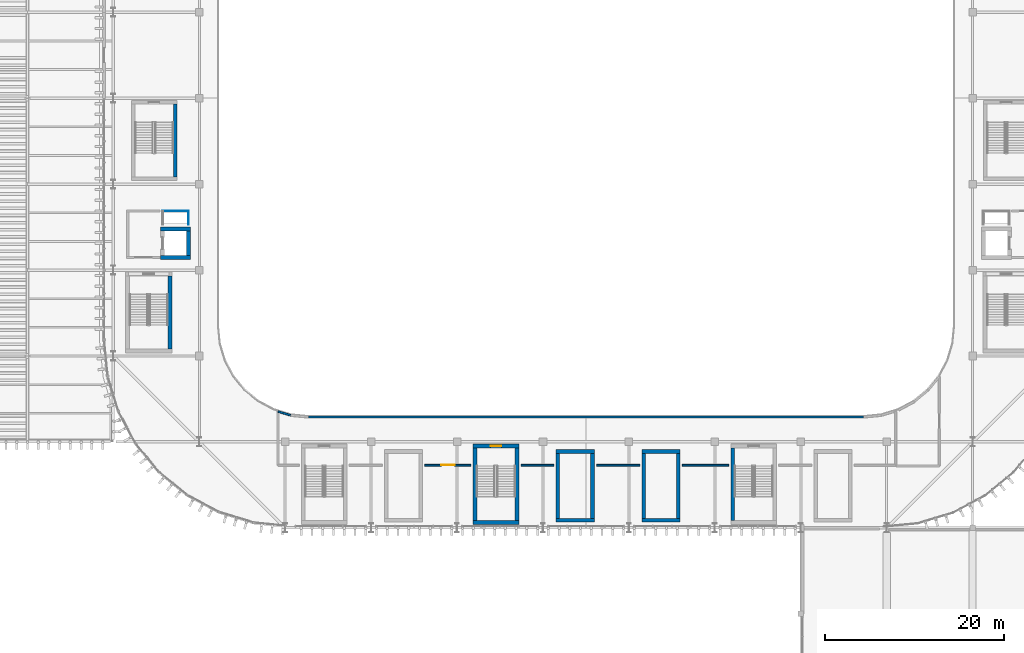
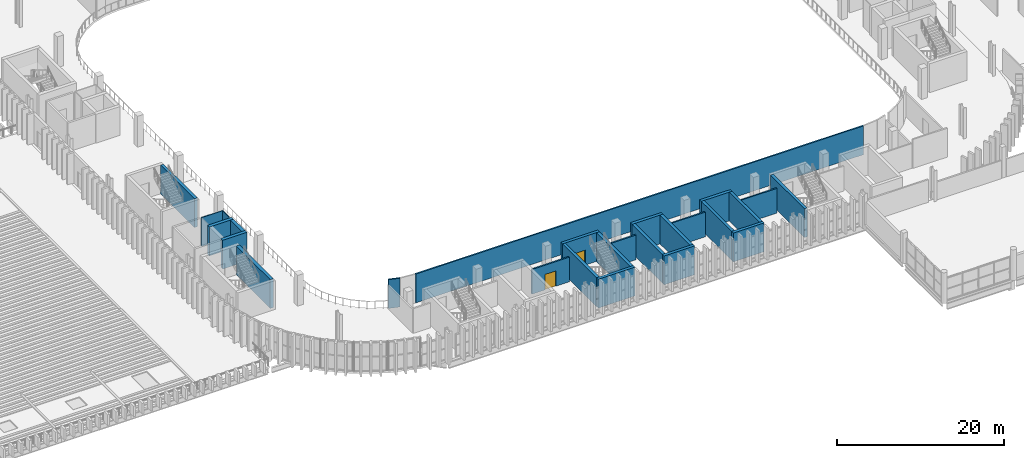
# One storey, part 57 of 92: 26 walls, 2 doors, 2 openings.
"""IFC4 building model written with IfcOpenShell, lengths in metres."""

from ifc_helpers import new_model, si_unit, direction, frame, frame_2d, origin, place, context, subcontext, project, spatial, rectangle, extrude, material, layer, layer_set, type_object, element, fill, save


model = new_model("IFC4")

# Units and contexts
model_context = context("Model", 3, precision=1e-05, world=origin(), true_north=direction((0.0, 1.0)))
body_context = subcontext(model_context, "Body", "Model", "MODEL_VIEW")
ifc_project = project(units=[si_unit("LENGTHUNIT", "METRE"), si_unit("AREAUNIT", "SQUARE_METRE"), si_unit("VOLUMEUNIT", "CUBIC_METRE"), si_unit("PLANEANGLEUNIT", "RADIAN"), si_unit("MASSUNIT", "GRAM", prefix="KILO")], contexts=[model_context])

# Site, building, storey
site_placement = place(None, origin())
site = spatial("IfcSite", under=ifc_project, at=site_placement, CompositionType="ELEMENT")
building_placement = place(site_placement, origin())
building = spatial("IfcBuilding", under=site, at=building_placement, Name="Caelomonte Colonnade Arena", CompositionType="ELEMENT")
storey_placement = place(building_placement, frame((0.0, 0.0, 9.60009765625)))
storey = spatial("IfcBuildingStorey", under=building, at=storey_placement, Name="L02", CompositionType="ELEMENT", Elevation=9.60009765625)

# Walls
ifc_material_1 = material(Name="Service shaft lining partition")
ifc_layer_1 = layer(ifc_material_1, 0.10009765625)
ifc_layer_set_1 = layer_set([ifc_layer_1], Name="Service shaft lining partition")
wall_type_1 = type_object("IfcWallType", Name="INT-WL-PT10", PredefinedType="PARTITIONING", material=ifc_layer_set_1)
wall_1_placement = place(storey_placement, frame((66.050048828125, 54.60009765625, 0.0), z_axis=(0.0, 0.0, 1.0), x_axis=(-1.0, 0.0, 0.0)))
element("IfcWall", 1, at=wall_1_placement, inside=storey, type_object=wall_type_1, Name="FW-C1-RS L02 north enclosure wall", PredefinedType="PARTITIONING", context=body_context, shape_type="SweptSolid", body=[
    extrude(rectangle(XDim=3.0, YDim=0.10009765625, at=frame_2d((1.5, 0.0))), origin(), (0.0, 0.0, 1.0), 4.219970703125),
])
wall_2_placement = place(storey_placement, frame((66.0, 53.050048828125, 0.0), z_axis=(0.0, 0.0, 1.0), x_axis=(0.0, 1.0, 0.0)))
element("IfcWall", 2, at=wall_2_placement, inside=storey, type_object=wall_type_1, Name="FW-C1-RS L02 east enclosure wall", PredefinedType="PARTITIONING", context=body_context, shape_type="SweptSolid", body=[
    extrude(rectangle(XDim=1.5, YDim=0.10009765625, at=frame_2d((0.75, 0.0))), origin(), (0.0, 0.0, 1.0), 4.219970703125),
])
ifc_material_2 = material(Name="Fire-rated gypsum stud partition")
ifc_layer_2 = layer(ifc_material_2, 0.199951171875)
ifc_layer_set_2 = layer_set([ifc_layer_2], Name="Fire-rated gypsum stud partition")
wall_type_2 = type_object("IfcWallType", Name="INT-WL-PT20", PredefinedType="PARTITIONING", material=ifc_layer_set_2)
wall_3_placement = place(storey_placement, frame((79.39990234375, 31.580078125, 0.0), z_axis=(0.0, 0.0, 1.0), x_axis=(1.0, 0.0, 0.0)))
element("IfcWall", 3, at=wall_3_placement, inside=storey, type_object=wall_type_2, Name="L02 Club Lounge South partition 145", PredefinedType="PARTITIONING", context=body_context, shape_type="SweptSolid", body=[
    extrude(rectangle(XDim=62.0, YDim=0.199951171875, at=frame_2d((31.0, 0.0))), origin(), (0.0, 0.0, 1.0), 4.219970703125),
])
wall_4_placement = place(storey_placement, frame((126.35009765625, 26.199951171875, 0.0), z_axis=(0.0, 0.0, 1.0), x_axis=(-1.0, 0.0, 0.0)))
element("IfcWall", 4, at=wall_4_placement, inside=storey, type_object=wall_type_2, Name="L02 Club Lounge South partition 151", PredefinedType="PARTITIONING", context=body_context, shape_type="SweptSolid", body=[
    extrude(rectangle(XDim=5.170166015625, YDim=0.199951171875, at=frame_2d((2.5849609375, 0.0))), origin(), (0.0, 0.0, 1.0), 3.61279296875),
])
wall_5_placement = place(storey_placement, frame((116.419921875, 26.199951171875, 0.0), z_axis=(0.0, 0.0, 1.0), x_axis=(-1.0, 0.0, 0.0)))
element("IfcWall", 5, at=wall_5_placement, inside=storey, type_object=wall_type_2, Name="L02 Club Lounge South partition 152", PredefinedType="PARTITIONING", context=body_context, shape_type="SweptSolid", body=[
    extrude(rectangle(XDim=4.83984375, YDim=0.199951171875, at=frame_2d((2.419921875, 0.0))), origin(), (0.0, 0.0, 1.0), 3.61279296875),
])
wall_6_placement = place(storey_placement, frame((106.820068359375, 26.199951171875, 0.0), z_axis=(0.0, 0.0, 1.0), x_axis=(-1.0, 0.0, 0.0)))
element("IfcWall", 6, at=wall_6_placement, inside=storey, type_object=wall_type_2, Name="L02 Club Lounge South partition 153", PredefinedType="PARTITIONING", context=body_context, shape_type="SweptSolid", body=[
    extrude(rectangle(XDim=3.670166015625, YDim=0.199951171875, at=frame_2d((1.8349609375, 0.0))), origin(), (0.0, 0.0, 1.0), 3.61279296875),
])

# Wall, opening, door
wall_7_placement = place(storey_placement, frame((97.550048828125, 26.199951171875, 0.0), z_axis=(0.0, 0.0, 1.0), x_axis=(-1.0, 0.0, 0.0)))
wall_7 = element("IfcWall", 7, at=wall_7_placement, inside=storey, type_object=wall_type_2, Name="L02 Club Lounge South partition 154", PredefinedType="PARTITIONING", context=body_context, shape_type="SweptSolid", body=[
    extrude(rectangle(XDim=5.170166015625, YDim=0.199951171875, at=frame_2d((2.5849609375, 0.0))), origin(), (0.0, 0.0, 1.0), 3.61279296875),
])
opening_1_placement = place(wall_7_placement, frame((1.8349609375, 0.0, 0.0), z_axis=(0.0, 0.0, 1.0), x_axis=(1.0, 0.0, 0.0)))
opening_1 = element("IfcOpeningElement", 8, at=opening_1_placement, cuts=wall_7, Name="Opening D-L02-049", PredefinedType="OPENING", context=body_context, shape_type="SweptSolid", body=[
    extrude(rectangle(XDim=1.5, YDim=2.25, at=frame_2d((0.75, 1.125))), frame((0.0, 0.10986328125, 0.0), z_axis=(0.0, -1.0, 0.0), x_axis=(1.0, 0.0, 0.0)), (0.0, 0.0, 1.0), 0.219970703125),
])
ifc_material_3 = material(Name="Hardwood double club lounge door", Category="wood")
door_type_1 = type_object("IfcDoorType", Name="INT-DR-SU2", OperationType="DOUBLE_DOOR_SINGLE_SWING", PredefinedType="DOOR", material=ifc_material_3)
door_1_placement = place(opening_1_placement, origin())
door_1 = element("IfcDoor", 9, at=door_1_placement, inside=storey, type_object=door_type_1, Name="L02 Club Lounge South door D-L02-049", OperationType="DOUBLE_DOOR_SINGLE_SWING", OverallHeight=2.25, OverallWidth=1.5, PredefinedType="DOOR", context=body_context, shape_type="SweptSolid", body=[
    extrude(rectangle(XDim=1.5, YDim=2.25, at=frame_2d((0.75, 1.125))), frame((0.0, 0.02490234375, 0.0), z_axis=(0.0, -1.0, 0.0), x_axis=(1.0, 0.0, 0.0)), (0.0, 0.0, 1.0), 0.050048828125),
])
fill(opening_1, door_1)

# Walls
wall_8_placement = place(storey_placement, frame((76.006103515625, 32.199951171875, 0.0), z_axis=(0.0, 0.0, 1.0), x_axis=(0.956921766266, -0.290345885534, 0.0)))
element("IfcWall", 10, at=wall_8_placement, inside=storey, type_object=wall_type_2, Name="L02 Club Lounge South partition 158", PredefinedType="PARTITIONING", context=body_context, shape_type="SweptSolid", body=[
    extrude(rectangle(XDim=1.441162109375, YDim=0.199951171875, at=frame_2d((0.720703125, 0.0))), origin(), (0.0, 0.0, 1.0), 4.219970703125),
])
ifc_material_4 = material(Name="Concrete C50/60", Category="concrete")
ifc_layer_3 = layer(ifc_material_4, 0.39990234375)
ifc_layer_set_3 = layer_set([ifc_layer_3], Name="Concrete C50/60")
wall_type_3 = type_object("IfcWallType", Name="INT-WL-SH40", PredefinedType="SHEAR", material=ifc_layer_set_3)
wall_9_placement = place(storey_placement, frame((64.5, 58.39990234375, 0.0), z_axis=(0.0, 0.0, 1.0), x_axis=(0.0, 1.0, 0.0)))
element("IfcWall", 11, at=wall_9_placement, inside=storey, type_object=wall_type_3, Name="CW-ST-09 L02 east enclosure wall", PredefinedType="SHEAR", context=body_context, shape_type="SweptSolid", body=[
    extrude(rectangle(XDim=8.150146484375, YDim=0.39990234375, at=frame_2d((4.0751953125, 0.0))), origin(), (0.0, 0.0, 1.0), 4.219970703125),
])
wall_10_placement = place(storey_placement, frame((97.800048828125, 19.800048828125, 0.0), z_axis=(0.0, 0.0, 1.0), x_axis=(1.0, 0.0, 0.0)))
element("IfcWall", 12, at=wall_10_placement, inside=storey, type_object=wall_type_3, Name="CW-ST-12 L02 south enclosure wall", PredefinedType="SHEAR", context=body_context, shape_type="SweptSolid", body=[
    extrude(rectangle(XDim=5.099853515625, YDim=0.39990234375, at=frame_2d((2.5498046875, 0.0))), origin(), (0.0, 0.0, 1.0), 4.219970703125),
])

# Wall, opening, door
wall_11_placement = place(storey_placement, frame((102.89990234375, 28.35009765625, 0.0), z_axis=(0.0, 0.0, 1.0), x_axis=(-1.0, 0.0, 0.0)))
wall_11 = element("IfcWall", 13, at=wall_11_placement, inside=storey, type_object=wall_type_3, Name="CW-ST-12 L02 north enclosure wall", PredefinedType="SHEAR", context=body_context, shape_type="SweptSolid", body=[
    extrude(rectangle(XDim=5.099853515625, YDim=0.39990234375, at=frame_2d((2.5498046875, 0.0))), origin(), (0.0, 0.0, 1.0), 4.219970703125),
])
opening_2_placement = place(wall_11_placement, frame((3.14990234375, 0.0, 0.0), z_axis=(0.0, 0.0, 1.0), x_axis=(-1.0, 0.0, 0.0)))
opening_2 = element("IfcOpeningElement", 14, at=opening_2_placement, cuts=wall_11, Name="Opening FD-1", PredefinedType="OPENING", context=body_context, shape_type="SweptSolid", body=[
    extrude(rectangle(XDim=1.199951171875, YDim=2.199951171875, at=frame_2d((0.60009765625, 1.10009765625))), frame((0.0, 0.2099609375, 0.0), z_axis=(0.0, -1.0, 0.0), x_axis=(1.0, 0.0, 0.0)), (0.0, 0.0, 1.0), 0.419921875),
])
ifc_material_5 = material(Name="Fire-rated steel door", Category="steel")
door_type_2 = type_object("IfcDoorType", Name="INT-DR-FD90A", OperationType="NOTDEFINED", PredefinedType="DOOR", material=ifc_material_5)
door_2_placement = place(opening_2_placement, origin())
door_2 = element("IfcDoor", 15, at=door_2_placement, inside=storey, type_object=door_type_2, Name="Protected exit stair ST-12 L02 fire door", OperationType="SINGLE_SWING_RIGHT", OverallHeight=2.199951171875, OverallWidth=1.199951171875, PredefinedType="DOOR", context=body_context, shape_type="SweptSolid", body=[
    extrude(rectangle(XDim=1.199951171875, YDim=2.199951171875, at=frame_2d((0.60009765625, 1.10009765625))), frame((0.0, 0.02490234375, 0.0), z_axis=(0.0, -1.0, 0.0), x_axis=(1.0, 0.0, 0.0)), (0.0, 0.0, 1.0), 0.050048828125),
])
fill(opening_2, door_2)

# Walls
for number, where, z_axis, x_axis, name in (
    (16, (98.0, 28.14990234375, 0.0), (0.0, 0.0, 1.0), (0.0, -1.0, 0.0), "CW-ST-12 L02 west enclosure wall"),
    (17, (102.699951171875, 20.0, 0.0), (0.0, 0.0, 1.0), (0.0, 1.0, 0.0), "CW-ST-12 L02 east enclosure wall"),
    (18, (126.800048828125, 28.14990234375, 0.0), (0.0, 0.0, 1.0), (0.0, -1.0, 0.0), "CW-ST-13 L02 west enclosure wall"),
):
    element("IfcWall", number, at=place(storey_placement, frame(where, z_axis=z_axis, x_axis=x_axis)), inside=storey, type_object=wall_type_3, Name=name, PredefinedType="SHEAR", context=body_context, shape_type="SweptSolid", body=[
        extrude(rectangle(XDim=8.14990234375, YDim=0.39990234375, at=frame_2d((4.074951171875, 0.0))), origin(), (0.0, 0.0, 1.0), 4.219970703125),
    ])
for number, where, z_axis, x_axis, name in (
    (19, (107.070068359375, 20.070068359375, 0.0), (0.0, 0.0, 1.0), (1.0, 0.0, 0.0), "CW-ST-V10 L02 south enclosure wall"),
    (20, (111.330078125, 27.72998046875, 0.0), (0.0, 0.0, 1.0), (-1.0, 0.0, 0.0), "CW-ST-V10 L02 north enclosure wall"),
):
    element("IfcWall", number, at=place(storey_placement, frame(where, z_axis=z_axis, x_axis=x_axis)), inside=storey, type_object=wall_type_3, Name=name, PredefinedType="SHEAR", context=body_context, shape_type="SweptSolid", body=[
        extrude(rectangle(XDim=4.260009765625, YDim=0.39990234375, at=frame_2d((2.1298828125, 0.0))), origin(), (0.0, 0.0, 1.0), 4.219970703125),
    ])
for number, where, z_axis, x_axis, name in (
    (21, (107.27001953125, 27.530029296875, 0.0), (0.0, 0.0, 1.0), (0.0, -1.0, 0.0), "CW-ST-V10 L02 west enclosure wall"),
    (22, (111.1298828125, 20.27001953125, 0.0), (0.0, 0.0, 1.0), (0.0, 1.0, 0.0), "CW-ST-V10 L02 east enclosure wall"),
):
    element("IfcWall", number, at=place(storey_placement, frame(where, z_axis=z_axis, x_axis=x_axis)), inside=storey, type_object=wall_type_3, Name=name, PredefinedType="SHEAR", context=body_context, shape_type="SweptSolid", body=[
        extrude(rectangle(XDim=7.260009765625, YDim=0.39990234375, at=frame_2d((3.6298828125, 0.0))), origin(), (0.0, 0.0, 1.0), 4.219970703125),
    ])
for number, where, z_axis, x_axis, name in (
    (23, (116.669921875, 20.070068359375, 0.0), (0.0, 0.0, 1.0), (1.0, 0.0, 0.0), "CW-ST-V11 L02 south enclosure wall"),
    (24, (120.929931640625, 27.72998046875, 0.0), (0.0, 0.0, 1.0), (-1.0, 0.0, 0.0), "CW-ST-V11 L02 north enclosure wall"),
):
    element("IfcWall", number, at=place(storey_placement, frame(where, z_axis=z_axis, x_axis=x_axis)), inside=storey, type_object=wall_type_3, Name=name, PredefinedType="SHEAR", context=body_context, shape_type="SweptSolid", body=[
        extrude(rectangle(XDim=4.260009765625, YDim=0.39990234375, at=frame_2d((2.1298828125, 0.0))), origin(), (0.0, 0.0, 1.0), 4.219970703125),
    ])
for number, where, z_axis, x_axis, name in (
    (25, (116.8701171875, 27.530029296875, 0.0), (0.0, 0.0, 1.0), (0.0, -1.0, 0.0), "CW-ST-V11 L02 west enclosure wall"),
    (26, (120.72998046875, 20.27001953125, 0.0), (0.0, 0.0, 1.0), (0.0, 1.0, 0.0), "CW-ST-V11 L02 east enclosure wall"),
):
    element("IfcWall", number, at=place(storey_placement, frame(where, z_axis=z_axis, x_axis=x_axis)), inside=storey, type_object=wall_type_3, Name=name, PredefinedType="SHEAR", context=body_context, shape_type="SweptSolid", body=[
        extrude(rectangle(XDim=7.260009765625, YDim=0.39990234375, at=frame_2d((3.6298828125, 0.0))), origin(), (0.0, 0.0, 1.0), 4.219970703125),
    ])
ifc_layer_4 = layer(ifc_material_4, 0.449951171875)
ifc_layer_set_4 = layer_set([ifc_layer_4], Name="Concrete C50/60")
wall_type_4 = type_object("IfcWallType", Name="INT-WL-SH45", PredefinedType="SHEAR", material=ifc_layer_set_4)
wall_12_placement = place(storey_placement, frame((63.925048828125, 39.199951171875, 0.0), z_axis=(0.0, 0.0, 1.0), x_axis=(0.0, 1.0, 0.0)))
element("IfcWall", 27, at=wall_12_placement, inside=storey, type_object=wall_type_4, Name="CW-C1-ST L02 east enclosure wall", PredefinedType="SHEAR", context=body_context, shape_type="SweptSolid", body=[
    extrude(rectangle(XDim=8.150146484375, YDim=0.449951171875, at=frame_2d((4.0751953125, 0.0))), origin(), (0.0, 0.0, 1.0), 4.219970703125),
])
for number, where, z_axis, x_axis, name in (
    (28, (62.875, 49.39990234375, 0.0), (0.0, 0.0, 1.0), (1.0, 0.0, 0.0), "CW-C1-LF L02 south enclosure wall"),
    (29, (66.22509765625, 52.60009765625, 0.0), (0.0, 0.0, 1.0), (-1.0, 0.0, 0.0), "CW-C1-LF L02 north enclosure wall"),
):
    element("IfcWall", number, at=place(storey_placement, frame(where, z_axis=z_axis, x_axis=x_axis)), inside=storey, type_object=wall_type_4, Name=name, PredefinedType="SHEAR", context=body_context, shape_type="SweptSolid", body=[
        extrude(rectangle(XDim=3.35009765625, YDim=0.449951171875, at=frame_2d((1.675048828125, 0.0))), origin(), (0.0, 0.0, 1.0), 4.219970703125),
    ])
wall_13_placement = place(storey_placement, frame((66.0, 49.625, 0.0), z_axis=(0.0, 0.0, 1.0), x_axis=(0.0, 1.0, 0.0)))
element("IfcWall", 30, at=wall_13_placement, inside=storey, type_object=wall_type_4, Name="CW-C1-LF L02 east enclosure wall", PredefinedType="SHEAR", context=body_context, shape_type="SweptSolid", body=[
    extrude(rectangle(XDim=2.75, YDim=0.449951171875, at=frame_2d((1.375, 0.0))), origin(), (0.0, 0.0, 1.0), 4.219970703125),
])

save(model, "model.ifc")
